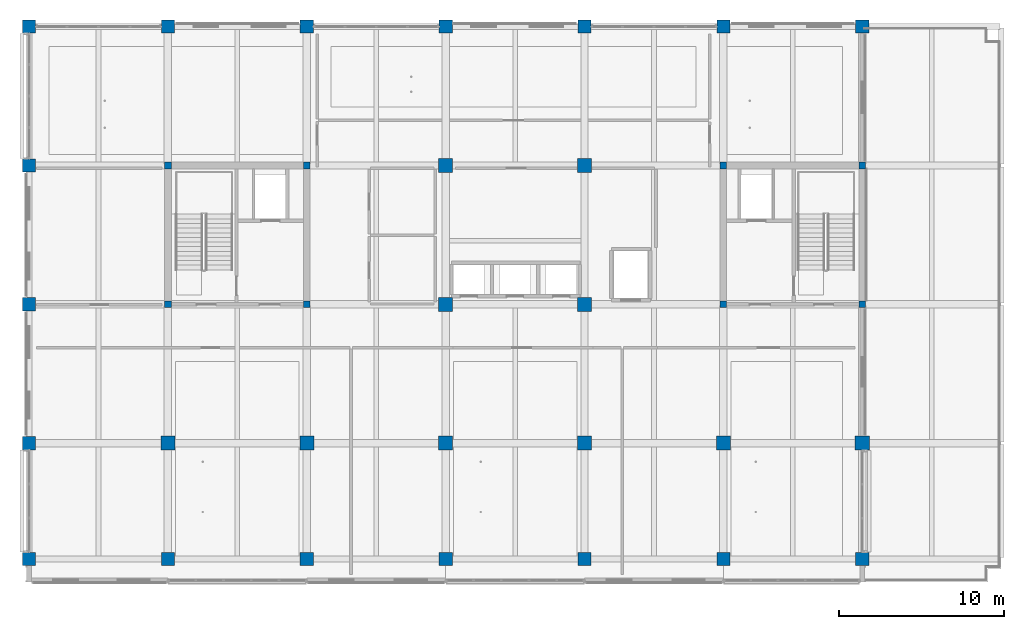
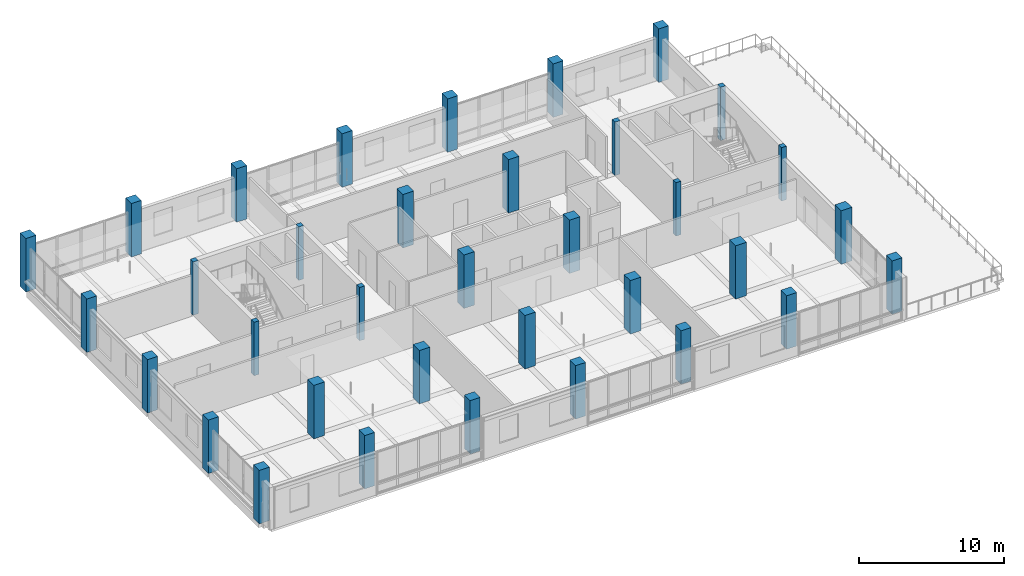
# One storey, part 1 of 36: 35 columns.
"""IFC4 building model written with IfcOpenShell, lengths in metres."""

from ifc_helpers import new_model, si_unit, direction, frame, origin, origin_2d, place, context, subcontext, project, spatial, rectangle, extrude, material, material_profile, profile_set, type_object, element, save


model = new_model("IFC4")

# Units and contexts
model_context = context("Model", 3, precision=1e-05, world=origin(), true_north=direction((0.0, 1.0)))
body_context = subcontext(model_context, "Body", "Model", "MODEL_VIEW")
ifc_project = project(units=[si_unit("LENGTHUNIT", "METRE"), si_unit("AREAUNIT", "SQUARE_METRE"), si_unit("VOLUMEUNIT", "CUBIC_METRE"), si_unit("PLANEANGLEUNIT", "RADIAN"), si_unit("MASSUNIT", "GRAM", prefix="KILO")], contexts=[model_context])

# Site, building, storey
site_placement = place(None, origin())
site = spatial("IfcSite", under=ifc_project, at=site_placement, CompositionType="ELEMENT")
building_placement = place(site_placement, origin())
building = spatial("IfcBuilding", under=site, at=building_placement, Name="Telukmera Botanical Conservatory", CompositionType="ELEMENT")
storey_placement = place(building_placement, frame((0.0, 0.0, 33.0)))
storey = spatial("IfcBuildingStorey", under=building, at=storey_placement, Name="L07", CompositionType="ELEMENT", Elevation=33.0)

# Columns
ifc_material = material(Name="Concrete C50/60", Category="concrete")
ifc_material_profile_1 = material_profile(ifc_material, rectangle(XDim=0.39990234375, YDim=0.39990234375, at=origin_2d()), Name="RC 400x400")
ifc_profile_set_1 = profile_set([ifc_material_profile_1], Name="Concrete C50/60")
column_type_1 = type_object("IfcColumnType", Name="Col_C14", PredefinedType="COLUMN", material=ifc_profile_set_1)
for number, where, z_axis, x_axis, name in (
    (1, (58.800048828125, 26.0, 0.0), (0.0, 0.0, 1.0), (1.0, 0.0, 0.0), "Column V4-L07 (58.8,26.0)"),
    (2, (58.800048828125, 34.39990234375, 0.0), (0.0, 0.0, 1.0), (1.0, 0.0, 0.0), "Column V4-L07 (58.8,34.4)"),
    (3, (67.199951171875, 26.0, 0.0), (0.0, 0.0, 1.0), (1.0, 0.0, 0.0), "Column V4-L07 (67.2,26.0)"),
    (4, (67.199951171875, 34.39990234375, 0.0), (0.0, 0.0, 1.0), (1.0, 0.0, 0.0), "Column V4-L07 (67.2,34.4)"),
    (5, (92.39990234375, 26.0, 0.0), (0.0, 0.0, 1.0), (1.0, 0.0, 0.0), "Column V4-L07 (92.4,26.0)"),
    (6, (92.39990234375, 34.39990234375, 0.0), (0.0, 0.0, 1.0), (1.0, 0.0, 0.0), "Column V4-L07 (92.4,34.4)"),
    (7, (100.800048828125, 26.0, 0.0), (0.0, 0.0, 1.0), (1.0, 0.0, 0.0), "Column V4-L07 (100.8,26.0)"),
    (8, (100.800048828125, 34.39990234375, 0.0), (0.0, 0.0, 1.0), (1.0, 0.0, 0.0), "Column V4-L07 (100.8,34.4)"),
):
    element("IfcColumn", number, at=place(storey_placement, frame(where, z_axis=z_axis, x_axis=x_axis)), inside=storey, type_object=column_type_1, Name=name, PredefinedType="COLUMN", context=body_context, shape_type="SweptSolid", body=[
        extrude(rectangle(XDim=0.39990234375, YDim=0.39990234375, at=origin_2d()), origin(), (0.0, 0.0, 1.0), 4.5),
    ])
ifc_material_profile_2 = material_profile(ifc_material, rectangle(XDim=0.85009765625, YDim=0.85009765625, at=origin_2d()), Name="RC 850x850")
ifc_profile_set_2 = profile_set([ifc_material_profile_2], Name="Concrete C50/60")
column_type_2 = type_object("IfcColumnType", Name="Col_C6", PredefinedType="COLUMN", material=ifc_profile_set_2)
for number, where, z_axis, x_axis, name in (
    (9, (58.800048828125, 17.60009765625, 0.0), (0.0, 0.0, 1.0), (1.0, 0.0, 0.0), "Column V4-L07 (58.8,17.6)"),
    (10, (67.199951171875, 17.60009765625, 0.0), (0.0, 0.0, 1.0), (1.0, 0.0, 0.0), "Column V4-L07 (67.2,17.6)"),
    (11, (75.60009765625, 17.60009765625, 0.0), (0.0, 0.0, 1.0), (1.0, 0.0, 0.0), "Column V4-L07 (75.6,17.6)"),
    (12, (75.60009765625, 26.0, 0.0), (0.0, 0.0, 1.0), (1.0, 0.0, 0.0), "Column V4-L07 (75.6,26.0)"),
    (13, (75.60009765625, 34.39990234375, 0.0), (0.0, 0.0, 1.0), (1.0, 0.0, 0.0), "Column V4-L07 (75.6,34.4)"),
    (14, (84.0, 17.60009765625, 0.0), (0.0, 0.0, 1.0), (1.0, 0.0, 0.0), "Column V4-L07 (84.0,17.6)"),
    (15, (84.0, 26.0, 0.0), (0.0, 0.0, 1.0), (1.0, 0.0, 0.0), "Column V4-L07 (84.0,26.0)"),
    (16, (84.0, 34.39990234375, 0.0), (0.0, 0.0, 1.0), (1.0, 0.0, 0.0), "Column V4-L07 (84.0,34.4)"),
    (17, (92.39990234375, 17.60009765625, 0.0), (0.0, 0.0, 1.0), (1.0, 0.0, 0.0), "Column V4-L07 (92.4,17.6)"),
    (18, (100.800048828125, 17.60009765625, 0.0), (0.0, 0.0, 1.0), (1.0, 0.0, 0.0), "Column V4-L07 (100.8,17.6)"),
):
    element("IfcColumn", number, at=place(storey_placement, frame(where, z_axis=z_axis, x_axis=x_axis)), inside=storey, type_object=column_type_2, Name=name, PredefinedType="COLUMN", context=body_context, shape_type="SweptSolid", body=[
        extrude(rectangle(XDim=0.85009765625, YDim=0.85009765625, at=origin_2d()), origin(), (0.0, 0.0, 1.0), 4.5),
    ])
ifc_material_profile_3 = material_profile(ifc_material, rectangle(XDim=0.800048828125, YDim=0.800048828125, at=origin_2d()), Name="RC 800x800")
ifc_profile_set_3 = profile_set([ifc_material_profile_3], Name="Concrete C50/60")
column_type_3 = type_object("IfcColumnType", Name="Col_C7", PredefinedType="COLUMN", material=ifc_profile_set_3)
for number, where, z_axis, x_axis, name in (
    (19, (50.39990234375, 10.60009765625, 0.0), (0.0, 0.0, 1.0), (1.0, 0.0, 0.0), "Column V4-L07 (50.4,10.6)"),
    (20, (50.39990234375, 17.60009765625, 0.0), (0.0, 0.0, 1.0), (1.0, 0.0, 0.0), "Column V4-L07 (50.4,17.6)"),
    (21, (50.39990234375, 26.0, 0.0), (0.0, 0.0, 1.0), (1.0, 0.0, 0.0), "Column V4-L07 (50.4,26.0)"),
    (22, (50.39990234375, 34.39990234375, 0.0), (0.0, 0.0, 1.0), (1.0, 0.0, 0.0), "Column V4-L07 (50.4,34.4)"),
    (23, (50.39990234375, 42.800048828125, 0.0), (0.0, 0.0, 1.0), (1.0, 0.0, 0.0), "Column V4-L07 (50.4,42.8)"),
    (24, (58.800048828125, 10.60009765625, 0.0), (0.0, 0.0, 1.0), (1.0, 0.0, 0.0), "Column V4-L07 (58.8,10.6)"),
    (25, (58.800048828125, 42.800048828125, 0.0), (0.0, 0.0, 1.0), (1.0, 0.0, 0.0), "Column V4-L07 (58.8,42.8)"),
    (26, (67.199951171875, 10.60009765625, 0.0), (0.0, 0.0, 1.0), (1.0, 0.0, 0.0), "Column V4-L07 (67.2,10.6)"),
    (27, (67.199951171875, 42.800048828125, 0.0), (0.0, 0.0, 1.0), (1.0, 0.0, 0.0), "Column V4-L07 (67.2,42.8)"),
    (28, (75.60009765625, 10.60009765625, 0.0), (0.0, 0.0, 1.0), (1.0, 0.0, 0.0), "Column V4-L07 (75.6,10.6)"),
    (29, (75.60009765625, 42.800048828125, 0.0), (0.0, 0.0, 1.0), (1.0, 0.0, 0.0), "Column V4-L07 (75.6,42.8)"),
    (30, (84.0, 10.60009765625, 0.0), (0.0, 0.0, 1.0), (1.0, 0.0, 0.0), "Column V4-L07 (84.0,10.6)"),
    (31, (84.0, 42.800048828125, 0.0), (0.0, 0.0, 1.0), (1.0, 0.0, 0.0), "Column V4-L07 (84.0,42.8)"),
    (32, (92.39990234375, 10.60009765625, 0.0), (0.0, 0.0, 1.0), (1.0, 0.0, 0.0), "Column V4-L07 (92.4,10.6)"),
    (33, (92.39990234375, 42.800048828125, 0.0), (0.0, 0.0, 1.0), (1.0, 0.0, 0.0), "Column V4-L07 (92.4,42.8)"),
    (34, (100.800048828125, 10.60009765625, 0.0), (0.0, 0.0, 1.0), (1.0, 0.0, 0.0), "Column V4-L07 (100.8,10.6)"),
    (35, (100.800048828125, 42.800048828125, 0.0), (0.0, 0.0, 1.0), (1.0, 0.0, 0.0), "Column V4-L07 (100.8,42.8)"),
):
    element("IfcColumn", number, at=place(storey_placement, frame(where, z_axis=z_axis, x_axis=x_axis)), inside=storey, type_object=column_type_3, Name=name, PredefinedType="COLUMN", context=body_context, shape_type="SweptSolid", body=[
        extrude(rectangle(XDim=0.800048828125, YDim=0.800048828125, at=origin_2d()), origin(), (0.0, 0.0, 1.0), 4.5),
    ])

save(model, "model.ifc")
